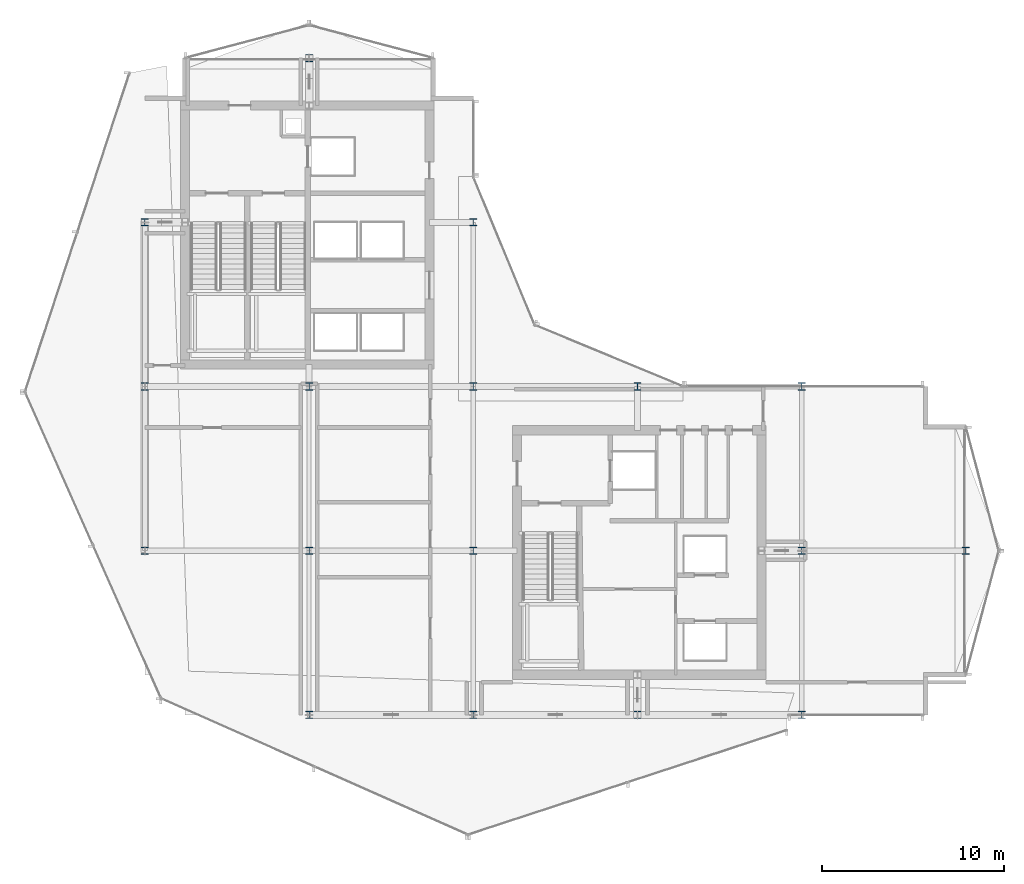
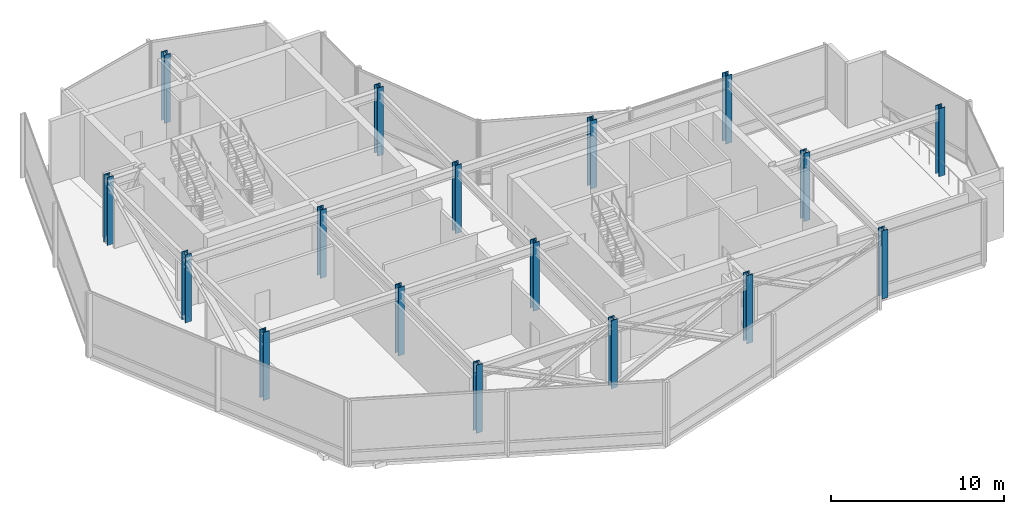
# One storey, part 1 of 30: 17 columns.
"""IFC4 building model written with IfcOpenShell, lengths in metres."""

from ifc_helpers import new_model, si_unit, direction, frame, origin, origin_2d, place, context, subcontext, project, spatial, i_section, extrude, material, material_profile, profile_set, type_object, element, save


model = new_model("IFC4")

# Units and contexts
model_context = context("Model", 3, precision=1e-05, world=origin(), true_north=direction((0.0, 1.0)))
body_context = subcontext(model_context, "Body", "Model", "MODEL_VIEW")
ifc_project = project(units=[si_unit("LENGTHUNIT", "METRE"), si_unit("AREAUNIT", "SQUARE_METRE"), si_unit("VOLUMEUNIT", "CUBIC_METRE"), si_unit("PLANEANGLEUNIT", "RADIAN"), si_unit("MASSUNIT", "GRAM", prefix="KILO")], contexts=[model_context])

# Site, building, storey
site_placement = place(None, origin())
site = spatial("IfcSite", under=ifc_project, at=site_placement, CompositionType="ELEMENT")
building_placement = place(site_placement, origin())
building = spatial("IfcBuilding", under=site, at=building_placement, Name="Solvaryn Broadcast Tower", CompositionType="ELEMENT")
storey_placement = place(building_placement, frame((0.0, 0.0, 196.39990234375)))
storey = spatial("IfcBuildingStorey", under=building, at=storey_placement, Name="L49", CompositionType="ELEMENT", Elevation=196.39990234375)

# Columns
ifc_material_1 = material(Name="Steel ASTM A913 Grade 65", Category="steel")
ifc_material_profile_1 = material_profile(ifc_material_1, i_section(OverallWidth=0.406005859375, OverallDepth=0.416015625, WebThickness=0.02978515625, FlangeThickness=0.048095703125, FilletRadius=0.014892578125, at=origin_2d()))
ifc_profile_set_1 = profile_set([ifc_material_profile_1], Name="Steel ASTM A913 Grade 65")
column_type_1 = type_object("IfcColumnType", Name="COL-C07E-W14X257", PredefinedType="COLUMN", material=ifc_profile_set_1)
for number, where, z_axis, x_axis, name in (
    (1, (9.0, 18.0, 0.0), (0.0, 0.0, 1.0), (1.0, 0.0, 0.0), "L49 Column (9.0, 18.0)"),
    (2, (9.0, 27.0, 0.0), (0.0, 0.0, 1.0), (1.0, 0.0, 0.0), "L49 Column (9.0, 27.0)"),
    (3, (9.0, 36.0, 0.0), (0.0, 0.0, 1.0), (1.0, 0.0, 0.0), "L49 Column (9.0, 36.0)"),
    (4, (18.0, 9.0, 0.0), (0.0, 0.0, 1.0), (1.0, 0.0, 0.0), "L49 Column (18.0, 9.0)"),
    (5, (18.0, 45.0, 0.0), (0.0, 0.0, 1.0), (1.0, 0.0, 0.0), "L49 Column (18.0, 45.0)"),
    (6, (27.0, 9.0, 0.0), (0.0, 0.0, 1.0), (1.0, 0.0, 0.0), "L49 Column (27.0, 9.0)"),
    (7, (27.0, 36.0, 0.0), (0.0, 0.0, 1.0), (1.0, 0.0, 0.0), "L49 Column (27.0, 36.0)"),
    (8, (36.0, 9.0, 0.0), (0.0, 0.0, 1.0), (1.0, 0.0, 0.0), "L49 Column (36.0, 9.0)"),
    (9, (36.0, 27.0, 0.0), (0.0, 0.0, 1.0), (1.0, 0.0, 0.0), "L49 Column (36.0, 27.0)"),
    (10, (45.0, 9.0, 0.0), (0.0, 0.0, 1.0), (1.0, 0.0, 0.0), "L49 Column (45.0, 9.0)"),
    (11, (45.0, 27.0, 0.0), (0.0, 0.0, 1.0), (1.0, 0.0, 0.0), "L49 Column (45.0, 27.0)"),
    (12, (54.0, 18.0, 0.0), (0.0, 0.0, 1.0), (1.0, 0.0, 0.0), "L49 Column (54.0, 18.0)"),
):
    element("IfcColumn", number, at=place(storey_placement, frame(where, z_axis=z_axis, x_axis=x_axis)), inside=storey, type_object=column_type_1, Name=name, PredefinedType="COLUMN", context=body_context, shape_type="SweptSolid", body=[
        extrude(i_section(OverallWidth=0.406005859375, OverallDepth=0.416015625, WebThickness=0.02978515625, FlangeThickness=0.048095703125, FilletRadius=0.014892578125, at=origin_2d()), origin(), (0.0, 0.0, 1.0), 4.800048828125),
    ])
ifc_material_2 = material(Name="Steel ASTM A913 Grade 65", Category="steel")
ifc_material_profile_2 = material_profile(ifc_material_2, i_section(OverallWidth=0.406005859375, OverallDepth=0.416015625, WebThickness=0.02978515625, FlangeThickness=0.048095703125, FilletRadius=0.014892578125, at=origin_2d()))
ifc_profile_set_2 = profile_set([ifc_material_profile_2], Name="Steel ASTM A913 Grade 65")
column_type_2 = type_object("IfcColumnType", Name="COL-C07I-W14X257", PredefinedType="COLUMN", material=ifc_profile_set_2)
for number, where, z_axis, x_axis, name in (
    (13, (18.0, 18.0, 0.0), (0.0, 0.0, 1.0), (1.0, 0.0, 0.0), "L49 Column (18.0, 18.0)"),
    (14, (18.0, 27.0, 0.0), (0.0, 0.0, 1.0), (1.0, 0.0, 0.0), "L49 Column (18.0, 27.0)"),
    (15, (27.0, 18.0, 0.0), (0.0, 0.0, 1.0), (1.0, 0.0, 0.0), "L49 Column (27.0, 18.0)"),
    (16, (27.0, 27.0, 0.0), (0.0, 0.0, 1.0), (1.0, 0.0, 0.0), "L49 Column (27.0, 27.0)"),
    (17, (45.0, 18.0, 0.0), (0.0, 0.0, 1.0), (1.0, 0.0, 0.0), "L49 Column (45.0, 18.0)"),
):
    element("IfcColumn", number, at=place(storey_placement, frame(where, z_axis=z_axis, x_axis=x_axis)), inside=storey, type_object=column_type_2, Name=name, PredefinedType="COLUMN", context=body_context, shape_type="SweptSolid", body=[
        extrude(i_section(OverallWidth=0.406005859375, OverallDepth=0.416015625, WebThickness=0.02978515625, FlangeThickness=0.048095703125, FilletRadius=0.014892578125, at=origin_2d()), origin(), (0.0, 0.0, 1.0), 4.800048828125),
    ])

save(model, "model.ifc")
